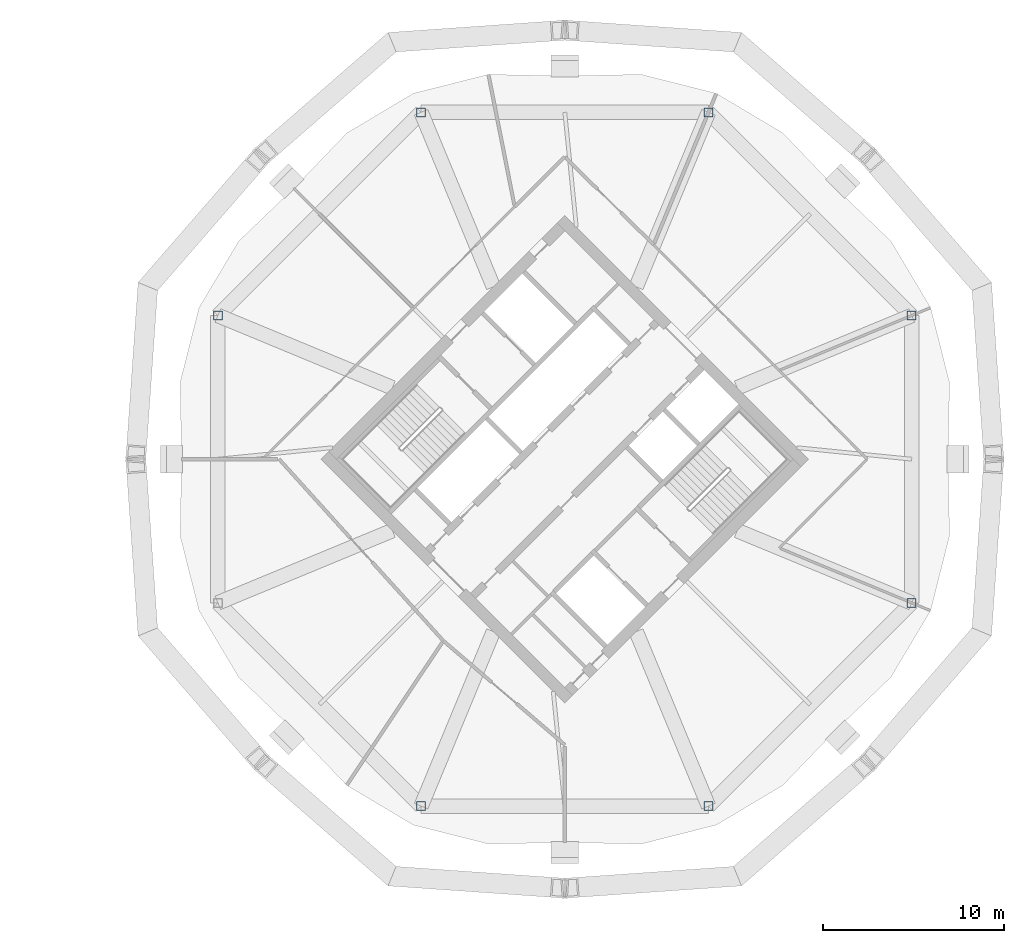
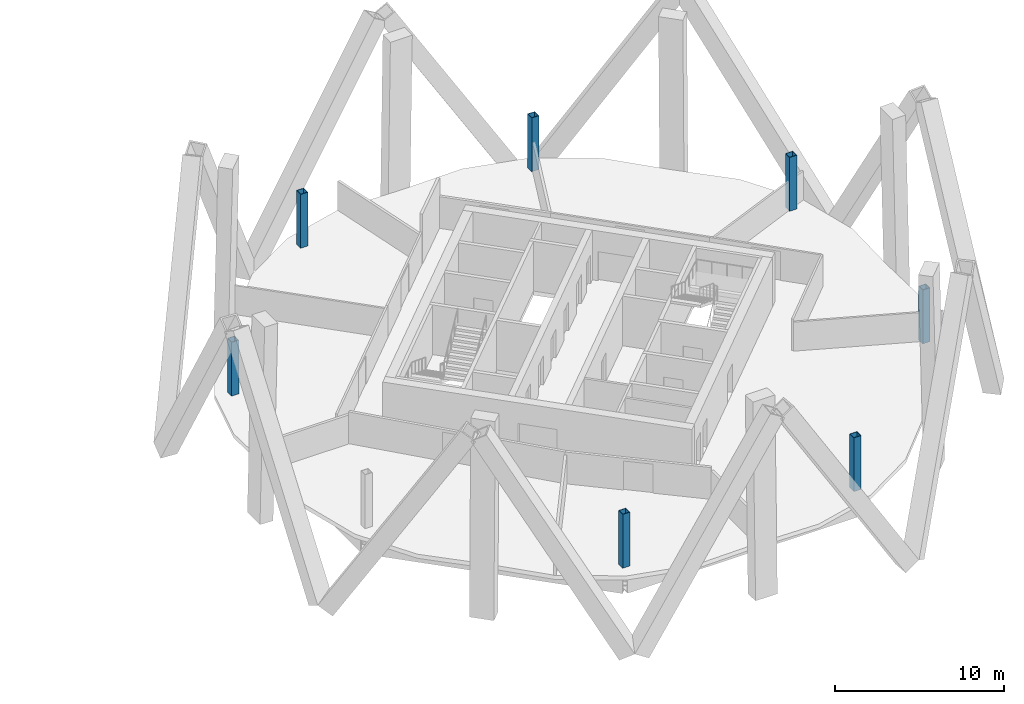
# One storey, part 2 of 10: 7 columns.
"""IFC4 building model written with IfcOpenShell, lengths in metres."""

from ifc_helpers import new_model, si_unit, direction, frame, origin, origin_2d, place, context, subcontext, project, spatial, hollow_rectangle, extrude, material, material_profile, profile_set, type_object, element, save


model = new_model("IFC4")

# Units and contexts
model_context = context("Model", 3, precision=1e-05, world=origin(), true_north=direction((0.0, 1.0)))
body_context = subcontext(model_context, "Body", "Model", "MODEL_VIEW")
ifc_project = project(units=[si_unit("LENGTHUNIT", "METRE"), si_unit("AREAUNIT", "SQUARE_METRE"), si_unit("VOLUMEUNIT", "CUBIC_METRE"), si_unit("PLANEANGLEUNIT", "RADIAN"), si_unit("MASSUNIT", "GRAM", prefix="KILO")], contexts=[model_context])

# Site, building, storey
site_placement = place(None, origin())
site = spatial("IfcSite", under=ifc_project, at=site_placement, CompositionType="ELEMENT")
building_placement = place(site_placement, origin())
building = spatial("IfcBuilding", under=site, at=building_placement, Name="Ogive Gate Towers", CompositionType="ELEMENT")
storey_placement = place(building_placement, frame((0.0, 0.0, 204.60009765625)))
storey = spatial("IfcBuildingStorey", under=building, at=storey_placement, Name="L49", CompositionType="ELEMENT", Elevation=204.60009765625)

# Columns
ifc_material = material(Name="Steel SM460", Category="steel")
ifc_material_profile = material_profile(ifc_material, hollow_rectangle(XDim=0.5, YDim=0.5, WallThickness=0.030029296875, at=origin_2d()), Name="BX 500x500x30")
ifc_profile_set = profile_set([ifc_material_profile], Name="Steel SM460")
column_type = type_object("IfcColumnType", Name="Perimeter post BX 500x500x30", PredefinedType="COLUMN", material=ifc_profile_set)
for number, where, z_axis, x_axis, name in (
    (1, (55.114990234375, 7.917724609375, 0.0), (0.0, 0.0, 1.0), (1.0, 0.0, 0.0), "T2/L49/SCL001"),
    (2, (43.917724609375, 19.114990234375, 0.0), (0.0, 0.0, 1.0), (1.0, 0.0, 0.0), "T2/L49/SCL002"),
    (3, (28.082275390625, 19.114990234375, 0.0), (0.0, 0.0, 1.0), (1.0, 0.0, 0.0), "T2/L49/SCL003"),
    (4, (16.885009765625, 7.917724609375, 0.0), (0.0, 0.0, 1.0), (1.0, 0.0, 0.0), "T2/L49/SCL004"),
    (5, (28.082275390625, -19.114990234375, 0.0), (0.0, 0.0, 1.0), (1.0, 0.0, 0.0), "T2/L49/SCL006"),
    (6, (43.917724609375, -19.114990234375, 0.0), (0.0, 0.0, 1.0), (1.0, 0.0, 0.0), "T2/L49/SCL007"),
    (7, (55.114990234375, -7.917724609375, 0.0), (0.0, 0.0, 1.0), (1.0, 0.0, 0.0), "T2/L49/SCL008"),
):
    element("IfcColumn", number, at=place(storey_placement, frame(where, z_axis=z_axis, x_axis=x_axis)), inside=storey, type_object=column_type, Name=name, PredefinedType="COLUMN", context=body_context, shape_type="SweptSolid", body=[
        extrude(hollow_rectangle(XDim=0.5, YDim=0.5, WallThickness=0.030029296875, at=origin_2d()), origin(), (0.0, 0.0, 1.0), 3.89990234375),
    ])

save(model, "model.ifc")
